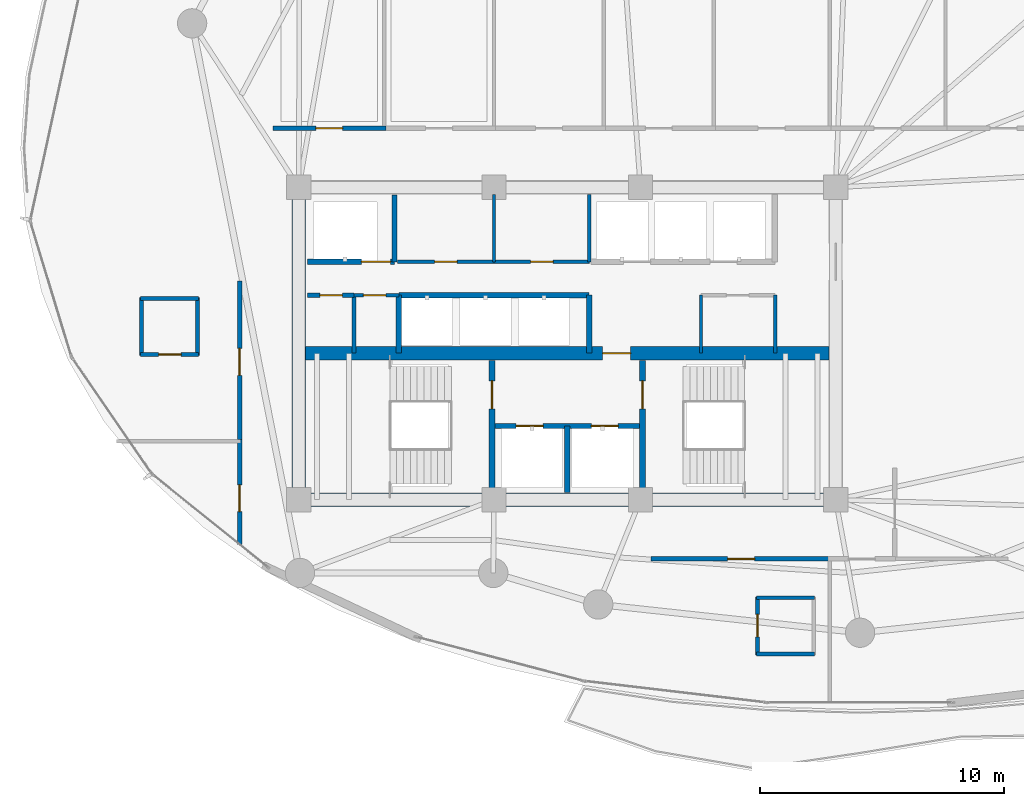
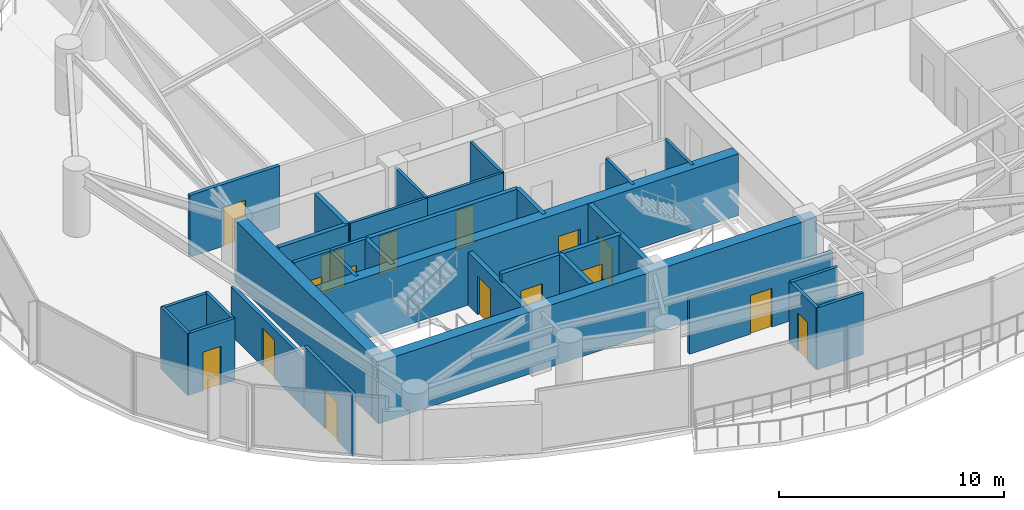
# One storey, part 26 of 34: 32 walls, 16 doors, 16 openings.
"""IFC4 building model written with IfcOpenShell, lengths in metres."""

from ifc_helpers import new_model, si_unit, direction, frame, frame_2d, origin, place, context, subcontext, project, spatial, rectangle, extrude, material, layer, layer_set, type_object, element, fill, save


model = new_model("IFC4")

# Units and contexts
model_context = context("Model", 3, precision=1e-05, world=origin(), true_north=direction((0.0, 1.0)))
body_context = subcontext(model_context, "Body", "Model", "MODEL_VIEW")
ifc_project = project(units=[si_unit("LENGTHUNIT", "METRE"), si_unit("AREAUNIT", "SQUARE_METRE"), si_unit("VOLUMEUNIT", "CUBIC_METRE"), si_unit("PLANEANGLEUNIT", "RADIAN"), si_unit("MASSUNIT", "GRAM", prefix="KILO")], contexts=[model_context])

# Site, building, storey
site_placement = place(None, origin())
site = spatial("IfcSite", under=ifc_project, at=site_placement, CompositionType="ELEMENT")
building_placement = place(site_placement, origin())
building = spatial("IfcBuilding", under=site, at=building_placement, Name="Kazevale Care Tower and Concert Hall", CompositionType="ELEMENT")
storey_placement = place(building_placement, frame((0.0, 0.0, 171.0)))
storey = spatial("IfcBuildingStorey", under=building, at=storey_placement, Name="L45", CompositionType="ELEMENT", Elevation=171.0)

# Wall, opening, door
ifc_material_1 = material(Name="Acoustic Gypsum on Steel Stud", Category="steel")
ifc_layer_1 = layer(ifc_material_1, 0.139892578125)
ifc_layer_set_1 = layer_set([ifc_layer_1], Name="Acoustic Gypsum on Steel Stud")
wall_type_1 = type_object("IfcWallType", Name="Acoustic Care & Suite Partition 140", PredefinedType="PARTITIONING", material=ifc_layer_set_1)
wall_1_placement = place(storey_placement, frame((26.050048828125, 33.35009765625, 0.0), z_axis=(0.0, 0.0, 1.0), x_axis=(1.0, 0.0, 0.0)))
wall_1 = element("IfcWall", 1, at=wall_1_placement, inside=storey, type_object=wall_type_1, Name="wall:L45:c_rpl1_s", PredefinedType="PARTITIONING", context=body_context, shape_type="SweptSolid", body=[
    extrude(rectangle(XDim=3.949951171875, YDim=0.139892578125, at=frame_2d((1.97509765625, 0.0))), origin(), (0.0, 0.0, 1.0), 3.360107421875),
])
opening_1_placement = place(wall_1_placement, frame((1.514892578125, 0.0, 0.0)))
opening_1 = element("IfcOpeningElement", 2, at=opening_1_placement, cuts=wall_1, Name="Opening ID-900", PredefinedType="OPENING", context=body_context, shape_type="SweptSolid", body=[
    extrude(rectangle(XDim=0.919921875, YDim=2.10009765625, at=frame_2d((0.4599609375, 1.050048828125))), frame((0.0, 0.079833984375, 0.0), z_axis=(0.0, -1.0, 0.0), x_axis=(1.0, 0.0, 0.0)), (0.0, 0.0, 1.0), 0.159912109375),
])
ifc_material_2 = material(Name="Oak Timber Fire Leaf", Category="wood")
door_type_1 = type_object("IfcDoorType", Name="Bathroom & Service Door 920x2100", OperationType="NOTDEFINED", PredefinedType="DOOR", material=ifc_material_2)
door_1_placement = place(opening_1_placement, origin())
door_1 = element("IfcDoor", 3, at=door_1_placement, inside=storey, type_object=door_type_1, Name="door:L45:d_rpl1", OperationType="SINGLE_SWING_LEFT", OverallHeight=2.10009765625, OverallWidth=0.919921875, PredefinedType="DOOR", context=body_context, shape_type="SweptSolid", body=[
    extrude(rectangle(XDim=0.919921875, YDim=2.10009765625, at=frame_2d((0.4599609375, 1.050048828125))), frame((0.0, 0.02490234375, 0.0), z_axis=(0.0, -1.0, 0.0), x_axis=(1.0, 0.0, 0.0)), (0.0, 0.0, 1.0), 0.050048828125),
])
fill(opening_1, door_1)

wall_2_placement = place(storey_placement, frame((30.0, 33.35009765625, 0.0), z_axis=(0.0, 0.0, 1.0), x_axis=(1.0, 0.0, 0.0)))
wall_2 = element("IfcWall", 4, at=wall_2_placement, inside=storey, type_object=wall_type_1, Name="wall:L45:c_rpl2_s", PredefinedType="PARTITIONING", context=body_context, shape_type="SweptSolid", body=[
    extrude(rectangle(XDim=3.919921875, YDim=0.139892578125, at=frame_2d((1.9599609375, 0.0))), origin(), (0.0, 0.0, 1.0), 3.360107421875),
])
opening_2_placement = place(wall_2_placement, frame((1.5, 0.0, 0.0)))
opening_2 = element("IfcOpeningElement", 5, at=opening_2_placement, cuts=wall_2, Name="Opening ID-900", PredefinedType="OPENING", context=body_context, shape_type="SweptSolid", body=[
    extrude(rectangle(XDim=0.919921875, YDim=2.10009765625, at=frame_2d((0.4599609375, 1.050048828125))), frame((0.0, 0.079833984375, 0.0), z_axis=(0.0, -1.0, 0.0), x_axis=(1.0, 0.0, 0.0)), (0.0, 0.0, 1.0), 0.159912109375),
])
door_2_placement = place(opening_2_placement, origin())
door_2 = element("IfcDoor", 6, at=door_2_placement, inside=storey, type_object=door_type_1, Name="door:L45:d_rpl2", OperationType="SINGLE_SWING_RIGHT", OverallHeight=2.10009765625, OverallWidth=0.919921875, PredefinedType="DOOR", context=body_context, shape_type="SweptSolid", body=[
    extrude(rectangle(XDim=0.919921875, YDim=2.10009765625, at=frame_2d((0.4599609375, 1.050048828125))), frame((0.0, 0.02490234375, 0.0), z_axis=(0.0, -1.0, 0.0), x_axis=(1.0, 0.0, 0.0)), (0.0, 0.0, 1.0), 0.050048828125),
])
fill(opening_2, door_2)

# Walls
for number, where, z_axis, x_axis, name in (
    (7, (30.0, 33.35009765625, 0.0), (0.0, 0.0, 1.0), (0.0, 1.0, 0.0), "wall:L45:c_rpl_m"),
    (8, (33.89990234375, 33.35009765625, 0.0), (0.0, 0.0, 1.0), (0.0, 1.0, 0.0), "wall:L45:c_rpl_e"),
):
    element("IfcWall", number, at=place(storey_placement, frame(where, z_axis=z_axis, x_axis=x_axis)), inside=storey, type_object=wall_type_1, Name=name, PredefinedType="PARTITIONING", context=body_context, shape_type="SweptSolid", body=[
        extrude(rectangle(XDim=2.75, YDim=0.139892578125, at=frame_2d((1.375, 0.0))), origin(), (0.0, 0.0, 1.0), 3.360107421875),
    ])
for number, where, z_axis, x_axis, name in (
    (9, (38.47998046875, 29.6201171875, 0.0), (0.0, 0.0, 1.0), (0.0, 1.0, 0.0), "wall:L45:kb_ew"),
    (10, (41.52001953125, 29.6201171875, 0.0), (0.0, 0.0, 1.0), (0.0, 1.0, 0.0), "wall:L45:kb_ee"),
):
    element("IfcWall", number, at=place(storey_placement, frame(where, z_axis=z_axis, x_axis=x_axis)), inside=storey, type_object=wall_type_1, Name=name, PredefinedType="PARTITIONING", context=body_context, shape_type="SweptSolid", body=[
        extrude(rectangle(XDim=2.35986328125, YDim=0.139892578125, at=frame_2d((1.179931640625, 0.0))), origin(), (0.0, 0.0, 1.0), 3.360107421875),
    ])
ifc_material_3 = material(Name="Concrete C60", Category="concrete")
ifc_layer_2 = layer(ifc_material_3, 0.550048828125)
ifc_layer_set_2 = layer_set([ifc_layer_2], Name="Concrete C60")
wall_type_2 = type_object("IfcWallType", Name="Core Shear Wall 550 C60", PredefinedType="SHEAR", material=ifc_layer_set_2)
wall_3_placement = place(storey_placement, frame((21.72509765625, 23.60009765625, 0.0), z_axis=(0.0, 0.0, 1.0), x_axis=(1.0, 0.0, 0.0)))
element("IfcWall", 11, at=wall_3_placement, inside=storey, type_object=wall_type_2, Name="wall:L45:core:S", PredefinedType="SHEAR", context=body_context, shape_type="SweptSolid", body=[
    extrude(rectangle(XDim=22.5498046875, YDim=0.550048828125, at=frame_2d((11.27490234375, 0.0))), origin(), (0.0, 0.0, 1.0), 3.360107421875),
])
wall_4_placement = place(storey_placement, frame((22.0, 23.875, 0.0), z_axis=(0.0, 0.0, 1.0), x_axis=(0.0, 1.0, 0.0)))
element("IfcWall", 12, at=wall_4_placement, inside=storey, type_object=wall_type_2, Name="wall:L45:core:W", PredefinedType="SHEAR", context=body_context, shape_type="SweptSolid", body=[
    extrude(rectangle(XDim=12.25, YDim=0.550048828125, at=frame_2d((6.125, 0.0))), origin(), (0.0, 0.0, 1.0), 3.360107421875),
])

# Wall, opening, door
wall_5_placement = place(storey_placement, frame((22.27490234375, 29.60009765625, 0.0), z_axis=(0.0, 0.0, 1.0), x_axis=(1.0, 0.0, 0.0)))
wall_5 = element("IfcWall", 13, at=wall_5_placement, inside=storey, type_object=wall_type_2, Name="wall:L45:core:M", PredefinedType="SHEAR", context=body_context, shape_type="SweptSolid", body=[
    extrude(rectangle(XDim=21.4501953125, YDim=0.550048828125, at=frame_2d((10.72509765625, 0.0))), origin(), (0.0, 0.0, 1.0), 3.360107421875),
])
opening_3_placement = place(wall_5_placement, frame((12.175048828125, 0.0, 0.0)))
opening_3 = element("IfcOpeningElement", 14, at=opening_3_placement, cuts=wall_5, Name="Opening FD-90", PredefinedType="OPENING", context=body_context, shape_type="SweptSolid", body=[
    extrude(rectangle(XDim=1.14990234375, YDim=2.10009765625, at=frame_2d((0.574951171875, 1.050048828125))), frame((0.0, 0.284912109375, 0.0), z_axis=(0.0, -1.0, 0.0), x_axis=(1.0, 0.0, 0.0)), (0.0, 0.0, 1.0), 0.570068359375),
])
ifc_material_4 = material(Name="Steel ASTM A572 Gr 50", Category="steel")
door_type_2 = type_object("IfcDoorType", Name="Pressurized Stair & Lobby Fire Door 1150x2100", OperationType="NOTDEFINED", PredefinedType="DOOR", material=ifc_material_4)
door_3_placement = place(opening_3_placement, origin())
door_3 = element("IfcDoor", 15, at=door_3_placement, inside=storey, type_object=door_type_2, Name="door:L45:ff_to_pax", OperationType="SINGLE_SWING_LEFT", OverallHeight=2.10009765625, OverallWidth=1.14990234375, PredefinedType="DOOR", context=body_context, shape_type="SweptSolid", body=[
    extrude(rectangle(XDim=1.14990234375, YDim=2.10009765625, at=frame_2d((0.574951171875, 1.050048828125))), frame((0.0, 0.02490234375, 0.0), z_axis=(0.0, -1.0, 0.0), x_axis=(1.0, 0.0, 0.0)), (0.0, 0.0, 1.0), 0.050048828125),
])
fill(opening_3, door_3)

# Wall, openings, doors
ifc_material_5 = material(Name="Concrete C40", Category="concrete")
ifc_layer_3 = layer(ifc_material_5, 0.219970703125)
ifc_layer_set_3 = layer_set([ifc_layer_3], Name="Concrete C40")
wall_type_3 = type_object("IfcWallType", Name="Elevator Hoistway Shaft Wall 220", PredefinedType="SOLIDWALL", material=ifc_layer_set_3)
wall_6_placement = place(storey_placement, frame((29.919921875, 26.6201171875, 0.0), z_axis=(0.0, 0.0, 1.0), x_axis=(1.0, 0.0, 0.0)))
wall_6 = element("IfcWall", 16, at=wall_6_placement, inside=storey, type_object=wall_type_3, Name="wall:L45:c_ffl_n", PredefinedType="SOLIDWALL", context=body_context, shape_type="SweptSolid", body=[
    extrude(rectangle(XDim=6.16015625, YDim=0.219970703125, at=frame_2d((3.080078125, 0.0))), origin(), (0.0, 0.0, 1.0), 3.360107421875),
])
opening_4_placement = place(wall_6_placement, frame((0.989990234375, 0.0, 0.0)))
opening_4 = element("IfcOpeningElement", 17, at=opening_4_placement, cuts=wall_6, Name="Opening LD-FF", PredefinedType="OPENING", context=body_context, shape_type="SweptSolid", body=[
    extrude(rectangle(XDim=1.10009765625, YDim=2.10009765625, at=frame_2d((0.550048828125, 1.050048828125))), frame((0.0, 0.119873046875, 0.0), z_axis=(0.0, -1.0, 0.0), x_axis=(1.0, 0.0, 0.0)), (0.0, 0.0, 1.0), 0.239990234375),
])
opening_5_placement = place(wall_6_placement, frame((4.070068359375, 0.0, 0.0)))
opening_5 = element("IfcOpeningElement", 18, at=opening_5_placement, cuts=wall_6, Name="Opening LD-FF", PredefinedType="OPENING", context=body_context, shape_type="SweptSolid", body=[
    extrude(rectangle(XDim=1.10009765625, YDim=2.10009765625, at=frame_2d((0.550048828125, 1.050048828125))), frame((0.0, 0.119873046875, 0.0), z_axis=(0.0, -1.0, 0.0), x_axis=(1.0, 0.0, 0.0)), (0.0, 0.0, 1.0), 0.239990234375),
])
ifc_material_6 = material(Name="Stainless Steel 316", Category="steel")
door_type_3 = type_object("IfcDoorType", Name="Emergency Lift Sliding Landing Door 1100x2100", OperationType="NOTDEFINED", PredefinedType="DOOR", material=ifc_material_6)
door_4_placement = place(opening_4_placement, origin())
door_4 = element("IfcDoor", 19, at=door_4_placement, inside=storey, type_object=door_type_3, Name="door:L45:ld_ffl1", OperationType="SLIDING_TO_LEFT", OverallHeight=2.10009765625, OverallWidth=1.10009765625, PredefinedType="DOOR", context=body_context, shape_type="SweptSolid", body=[
    extrude(rectangle(XDim=1.10009765625, YDim=2.10009765625, at=frame_2d((0.550048828125, 1.050048828125))), frame((0.0, 0.02490234375, 0.0), z_axis=(0.0, -1.0, 0.0), x_axis=(1.0, 0.0, 0.0)), (0.0, 0.0, 1.0), 0.050048828125),
])
fill(opening_4, door_4)
door_5_placement = place(opening_5_placement, origin())
door_5 = element("IfcDoor", 20, at=door_5_placement, inside=storey, type_object=door_type_3, Name="door:L45:ld_ffl2", OperationType="SLIDING_TO_RIGHT", OverallHeight=2.10009765625, OverallWidth=1.10009765625, PredefinedType="DOOR", context=body_context, shape_type="SweptSolid", body=[
    extrude(rectangle(XDim=1.10009765625, YDim=2.10009765625, at=frame_2d((0.550048828125, 1.050048828125))), frame((0.0, 0.02490234375, 0.0), z_axis=(0.0, -1.0, 0.0), x_axis=(1.0, 0.0, 0.0)), (0.0, 0.0, 1.0), 0.050048828125),
])
fill(opening_5, door_5)

# Walls
wall_7_placement = place(storey_placement, frame((33.0, 23.89990234375, 0.0), z_axis=(0.0, 0.0, 1.0), x_axis=(0.0, 1.0, 0.0)))
element("IfcWall", 21, at=wall_7_placement, inside=storey, type_object=wall_type_3, Name="wall:L45:c_ffl_m", PredefinedType="SOLIDWALL", context=body_context, shape_type="SweptSolid", body=[
    extrude(rectangle(XDim=2.72021484375, YDim=0.219970703125, at=frame_2d((1.360107421875, 0.0))), origin(), (0.0, 0.0, 1.0), 3.360107421875),
])
wall_8_placement = place(storey_placement, frame((25.919921875, 33.35009765625, 0.0), z_axis=(0.0, 0.0, 1.0), x_axis=(0.0, 1.0, 0.0)))
element("IfcWall", 22, at=wall_8_placement, inside=storey, type_object=wall_type_3, Name="wall:L45:c_svl_e", PredefinedType="SOLIDWALL", context=body_context, shape_type="SweptSolid", body=[
    extrude(rectangle(XDim=2.72998046875, YDim=0.219970703125, at=frame_2d((1.364990234375, 0.0))), origin(), (0.0, 0.0, 1.0), 3.360107421875),
])

# Wall, opening, door
wall_9_placement = place(storey_placement, frame((22.35009765625, 33.35009765625, 0.0), z_axis=(0.0, 0.0, 1.0), x_axis=(1.0, 0.0, 0.0)))
wall_9 = element("IfcWall", 23, at=wall_9_placement, inside=storey, type_object=wall_type_3, Name="wall:L45:c_svl_s", PredefinedType="SOLIDWALL", context=body_context, shape_type="SweptSolid", body=[
    extrude(rectangle(XDim=3.56982421875, YDim=0.219970703125, at=frame_2d((1.784912109375, 0.0))), origin(), (0.0, 0.0, 1.0), 3.360107421875),
])
opening_6_placement = place(wall_9_placement, frame((2.212890625, 0.0, 0.0)))
opening_6 = element("IfcOpeningElement", 24, at=opening_6_placement, cuts=wall_9, Name="Opening LD-SV", PredefinedType="OPENING", context=body_context, shape_type="SweptSolid", body=[
    extrude(rectangle(XDim=1.199951171875, YDim=2.10009765625, at=frame_2d((0.60009765625, 1.050048828125))), frame((0.0, 0.119873046875, 0.0), z_axis=(0.0, -1.0, 0.0), x_axis=(1.0, 0.0, 0.0)), (0.0, 0.0, 1.0), 0.239990234375),
])
door_type_4 = type_object("IfcDoorType", Name="Service Lift Sliding Landing Door 1200x2100", OperationType="NOTDEFINED", PredefinedType="DOOR", material=ifc_material_6)
door_6_placement = place(opening_6_placement, origin())
door_6 = element("IfcDoor", 25, at=door_6_placement, inside=storey, type_object=door_type_4, Name="door:L45:ld_svl1", OperationType="SLIDING_TO_LEFT", OverallHeight=2.10009765625, OverallWidth=1.199951171875, PredefinedType="DOOR", context=body_context, shape_type="SweptSolid", body=[
    extrude(rectangle(XDim=1.199951171875, YDim=2.10009765625, at=frame_2d((0.60009765625, 1.050048828125))), frame((0.0, 0.02490234375, 0.0), z_axis=(0.0, -1.0, 0.0), x_axis=(1.0, 0.0, 0.0)), (0.0, 0.0, 1.0), 0.050048828125),
])
fill(opening_6, door_6)

# Walls
wall_10_placement = place(storey_placement, frame((26.10009765625, 29.6201171875, 0.0), z_axis=(0.0, 0.0, 1.0), x_axis=(0.0, 1.0, 0.0)))
element("IfcWall", 26, at=wall_10_placement, inside=storey, type_object=wall_type_3, Name="wall:L45:c_ph_w", PredefinedType="SOLIDWALL", context=body_context, shape_type="SweptSolid", body=[
    extrude(rectangle(XDim=2.35986328125, YDim=0.219970703125, at=frame_2d((1.179931640625, 0.0))), origin(), (0.0, 0.0, 1.0), 3.360107421875),
])
wall_11_placement = place(storey_placement, frame((26.10009765625, 31.97998046875, 0.0), z_axis=(0.0, 0.0, 1.0), x_axis=(1.0, 0.0, 0.0)))
element("IfcWall", 27, at=wall_11_placement, inside=storey, type_object=wall_type_3, Name="wall:L45:c_ph_n", PredefinedType="SOLIDWALL", context=body_context, shape_type="SweptSolid", body=[
    extrude(rectangle(XDim=7.7998046875, YDim=0.219970703125, at=frame_2d((3.89990234375, 0.0))), origin(), (0.0, 0.0, 1.0), 3.360107421875),
])
wall_12_placement = place(storey_placement, frame((33.89990234375, 29.6201171875, 0.0), z_axis=(0.0, 0.0, 1.0), x_axis=(0.0, 1.0, 0.0)))
element("IfcWall", 28, at=wall_12_placement, inside=storey, type_object=wall_type_3, Name="wall:L45:c_ph_e", PredefinedType="SOLIDWALL", context=body_context, shape_type="SweptSolid", body=[
    extrude(rectangle(XDim=2.35986328125, YDim=0.219970703125, at=frame_2d((1.179931640625, 0.0))), origin(), (0.0, 0.0, 1.0), 3.360107421875),
])

# Wall, opening, door
ifc_material_7 = material(Name="Concrete C40 and Acoustic Gypsum", Category="concrete")
ifc_layer_4 = layer(ifc_material_7, 0.179931640625)
ifc_layer_set_4 = layer_set([ifc_layer_4], Name="Concrete C40 and Acoustic Gypsum")
wall_type_4 = type_object("IfcWallType", Name="Fire-Rated Corridor & Party Wall 180", PredefinedType="PARTITIONING", material=ifc_layer_set_4)
wall_13_placement = place(storey_placement, frame((22.35009765625, 31.97998046875, 0.0), z_axis=(0.0, 0.0, 1.0), x_axis=(1.0, 0.0, 0.0)))
wall_13 = element("IfcWall", 29, at=wall_13_placement, inside=storey, type_object=wall_type_4, Name="wall:L45:kb_wn0", PredefinedType="PARTITIONING", context=body_context, shape_type="SweptSolid", body=[
    extrude(rectangle(XDim=1.909912109375, YDim=0.179931640625, at=frame_2d((0.955078125, 0.0))), origin(), (0.0, 0.0, 1.0), 3.360107421875),
])
opening_7_placement = place(wall_13_placement, frame((0.514892578125, 0.0, 0.0)))
opening_7 = element("IfcOpeningElement", 30, at=opening_7_placement, cuts=wall_13, Name="Opening ID-900", PredefinedType="OPENING", context=body_context, shape_type="SweptSolid", body=[
    extrude(rectangle(XDim=0.919921875, YDim=2.10009765625, at=frame_2d((0.4599609375, 1.050048828125))), frame((0.0, 0.099853515625, 0.0), z_axis=(0.0, -1.0, 0.0), x_axis=(1.0, 0.0, 0.0)), (0.0, 0.0, 1.0), 0.199951171875),
])
door_7_placement = place(opening_7_placement, origin())
door_7 = element("IfcDoor", 31, at=door_7_placement, inside=storey, type_object=door_type_1, Name="door:L45:d_kbw1", OperationType="SINGLE_SWING_LEFT", OverallHeight=2.10009765625, OverallWidth=0.919921875, PredefinedType="DOOR", context=body_context, shape_type="SweptSolid", body=[
    extrude(rectangle(XDim=0.919921875, YDim=2.10009765625, at=frame_2d((0.4599609375, 1.050048828125))), frame((0.0, 0.02490234375, 0.0), z_axis=(0.0, -1.0, 0.0), x_axis=(1.0, 0.0, 0.0)), (0.0, 0.0, 1.0), 0.050048828125),
])
fill(opening_7, door_7)

wall_14_placement = place(storey_placement, frame((20.93505859375, 38.824951171875, 0.0), z_axis=(0.0, 0.0, 1.0), x_axis=(1.0, 0.0, 0.0)))
wall_14 = element("IfcWall", 32, at=wall_14_placement, inside=storey, type_object=wall_type_4, Name="wall:L45:auto_001", PredefinedType="PARTITIONING", context=body_context, shape_type="SweptSolid", body=[
    extrude(rectangle(XDim=4.6298828125, YDim=0.179931640625, at=frame_2d((2.31494140625, 0.0))), origin(), (0.0, 0.0, 1.0), 3.360107421875),
])
opening_8_placement = place(wall_14_placement, frame((1.764892578125, 0.0, 0.0)))
opening_8 = element("IfcOpeningElement", 33, at=opening_8_placement, cuts=wall_14, Name="Opening ID-1100", PredefinedType="OPENING", context=body_context, shape_type="SweptSolid", body=[
    extrude(rectangle(XDim=1.10009765625, YDim=2.10009765625, at=frame_2d((0.550048828125, 1.050048828125))), frame((0.0, 0.099853515625, 0.0), z_axis=(0.0, -1.0, 0.0), x_axis=(1.0, 0.0, 0.0)), (0.0, 0.0, 1.0), 0.199951171875),
])
door_type_5 = type_object("IfcDoorType", Name="Care Bedroom Accessible Door 1100x2100", OperationType="NOTDEFINED", PredefinedType="DOOR", material=ifc_material_2)
door_8_placement = place(opening_8_placement, origin())
door_8 = element("IfcDoor", 34, at=door_8_placement, inside=storey, type_object=door_type_5, Name="door:L45:ad_001", OperationType="SINGLE_SWING_LEFT", OverallHeight=2.10009765625, OverallWidth=1.10009765625, PredefinedType="DOOR", context=body_context, shape_type="SweptSolid", body=[
    extrude(rectangle(XDim=1.10009765625, YDim=2.10009765625, at=frame_2d((0.550048828125, 1.050048828125))), frame((0.0, 0.02490234375, 0.0), z_axis=(0.0, -1.0, 0.0), x_axis=(1.0, 0.0, 0.0)), (0.0, 0.0, 1.0), 0.050048828125),
])
fill(opening_8, door_8)

wall_15_placement = place(storey_placement, frame((43.81494140625, 21.175048828125, 0.0), z_axis=(0.0, 0.0, 1.0), x_axis=(-1.0, 0.0, 0.0)))
wall_15 = element("IfcWall", 35, at=wall_15_placement, inside=storey, type_object=wall_type_4, Name="wall:L45:auto_017", PredefinedType="PARTITIONING", context=body_context, shape_type="SweptSolid", body=[
    extrude(rectangle(XDim=7.3798828125, YDim=0.179931640625, at=frame_2d((3.68994140625, 0.0))), origin(), (0.0, 0.0, 1.0), 2.99609375),
])
opening_9_placement = place(wall_15_placement, frame((3.139892578125, 0.0, 0.0)))
opening_9 = element("IfcOpeningElement", 36, at=opening_9_placement, cuts=wall_15, Name="Opening ID-1100", PredefinedType="OPENING", context=body_context, shape_type="SweptSolid", body=[
    extrude(rectangle(XDim=1.10009765625, YDim=2.10009765625, at=frame_2d((0.550048828125, 1.050048828125))), frame((0.0, 0.099853515625, 0.0), z_axis=(0.0, -1.0, 0.0), x_axis=(1.0, 0.0, 0.0)), (0.0, 0.0, 1.0), 0.199951171875),
])
door_9_placement = place(opening_9_placement, origin())
door_9 = element("IfcDoor", 37, at=door_9_placement, inside=storey, type_object=door_type_5, Name="door:L45:ad_017", OperationType="SINGLE_SWING_LEFT", OverallHeight=2.10009765625, OverallWidth=1.10009765625, PredefinedType="DOOR", context=body_context, shape_type="SweptSolid", body=[
    extrude(rectangle(XDim=1.10009765625, YDim=2.10009765625, at=frame_2d((0.550048828125, 1.050048828125))), frame((0.0, 0.02490234375, 0.0), z_axis=(0.0, -1.0, 0.0), x_axis=(1.0, 0.0, 0.0)), (0.0, 0.0, 1.0), 0.050048828125),
])
fill(opening_9, door_9)

wall_16_placement = place(storey_placement, frame((19.574951171875, 21.774658203125, 0.0), z_axis=(0.0, 0.0, 1.0), x_axis=(0.0, 1.0, 0.0)))
wall_16 = element("IfcWall", 38, at=wall_16_placement, inside=storey, type_object=wall_type_4, Name="wall:L45:auto_019", PredefinedType="PARTITIONING", context=body_context, shape_type="SweptSolid", body=[
    extrude(rectangle(XDim=4.290283203125, YDim=0.179931640625, at=frame_2d((2.14501953125, 0.0))), origin(), (0.0, 0.0, 1.0), 3.360107421875),
])
opening_10_placement = place(wall_16_placement, frame((1.337890625, 0.0, 0.0)))
opening_10 = element("IfcOpeningElement", 39, at=opening_10_placement, cuts=wall_16, Name="Opening ID-1100", PredefinedType="OPENING", context=body_context, shape_type="SweptSolid", body=[
    extrude(rectangle(XDim=1.10009765625, YDim=2.10009765625, at=frame_2d((0.550048828125, 1.050048828125))), frame((0.0, 0.099853515625, 0.0), z_axis=(0.0, -1.0, 0.0), x_axis=(1.0, 0.0, 0.0)), (0.0, 0.0, 1.0), 0.199951171875),
])
door_10_placement = place(opening_10_placement, origin())
door_10 = element("IfcDoor", 40, at=door_10_placement, inside=storey, type_object=door_type_5, Name="door:L45:ad_019", OperationType="SINGLE_SWING_LEFT", OverallHeight=2.10009765625, OverallWidth=1.10009765625, PredefinedType="DOOR", context=body_context, shape_type="SweptSolid", body=[
    extrude(rectangle(XDim=1.10009765625, YDim=2.10009765625, at=frame_2d((0.550048828125, 1.050048828125))), frame((0.0, 0.02490234375, 0.0), z_axis=(0.0, -1.0, 0.0), x_axis=(1.0, 0.0, 0.0)), (0.0, 0.0, 1.0), 0.050048828125),
])
fill(opening_10, door_10)

wall_17_placement = place(storey_placement, frame((19.574951171875, 25.93505859375, 0.0), z_axis=(0.0, 0.0, 1.0), x_axis=(0.0, 1.0, 0.0)))
wall_17 = element("IfcWall", 41, at=wall_17_placement, inside=storey, type_object=wall_type_4, Name="wall:L45:auto_020", PredefinedType="PARTITIONING", context=body_context, shape_type="SweptSolid", body=[
    extrude(rectangle(XDim=6.6298828125, YDim=0.179931640625, at=frame_2d((3.31494140625, 0.0))), origin(), (0.0, 0.0, 1.0), 2.656982421875),
])
opening_11_placement = place(wall_17_placement, frame((2.764892578125, 0.0, 0.0)))
opening_11 = element("IfcOpeningElement", 42, at=opening_11_placement, cuts=wall_17, Name="Opening ID-1100", PredefinedType="OPENING", context=body_context, shape_type="SweptSolid", body=[
    extrude(rectangle(XDim=1.10009765625, YDim=2.10009765625, at=frame_2d((0.550048828125, 1.050048828125))), frame((0.0, 0.099853515625, 0.0), z_axis=(0.0, -1.0, 0.0), x_axis=(1.0, 0.0, 0.0)), (0.0, 0.0, 1.0), 0.199951171875),
])
door_11_placement = place(opening_11_placement, origin())
door_11 = element("IfcDoor", 43, at=door_11_placement, inside=storey, type_object=door_type_5, Name="door:L45:ad_020", OperationType="SINGLE_SWING_LEFT", OverallHeight=2.10009765625, OverallWidth=1.10009765625, PredefinedType="DOOR", context=body_context, shape_type="SweptSolid", body=[
    extrude(rectangle(XDim=1.10009765625, YDim=2.10009765625, at=frame_2d((0.550048828125, 1.050048828125))), frame((0.0, 0.02490234375, 0.0), z_axis=(0.0, -1.0, 0.0), x_axis=(1.0, 0.0, 0.0)), (0.0, 0.0, 1.0), 0.050048828125),
])
fill(opening_11, door_11)

# Wall
ifc_layer_5 = layer(ifc_material_1, 0.159912109375)
ifc_layer_set_5 = layer_set([ifc_layer_5], Name="Acoustic Gypsum on Steel Stud")
wall_type_5 = type_object("IfcWallType", Name="Moisture-Resistant Bathroom Plumbing Wall 160", PredefinedType="PLUMBINGWALL", material=ifc_layer_set_5)
wall_18_placement = place(storey_placement, frame((24.260009765625, 29.6201171875, 0.0), z_axis=(0.0, 0.0, 1.0), x_axis=(0.0, 1.0, 0.0)))
element("IfcWall", 44, at=wall_18_placement, inside=storey, type_object=wall_type_5, Name="wall:L45:kb_we1", PredefinedType="PLUMBINGWALL", context=body_context, shape_type="SweptSolid", body=[
    extrude(rectangle(XDim=2.35986328125, YDim=0.159912109375, at=frame_2d((1.179931640625, 0.0))), origin(), (0.0, 0.0, 1.0), 3.360107421875),
])

# Wall, opening, door
wall_19_placement = place(storey_placement, frame((24.260009765625, 31.97998046875, 0.0), z_axis=(0.0, 0.0, 1.0), x_axis=(1.0, 0.0, 0.0)))
wall_19 = element("IfcWall", 45, at=wall_19_placement, inside=storey, type_object=wall_type_5, Name="wall:L45:kb_wn1", PredefinedType="PLUMBINGWALL", context=body_context, shape_type="SweptSolid", body=[
    extrude(rectangle(XDim=1.840087890625, YDim=0.159912109375, at=frame_2d((0.919921875, 0.0))), origin(), (0.0, 0.0, 1.0), 3.360107421875),
])
opening_12_placement = place(wall_19_placement, frame((0.387939453125, 0.0, 0.0)))
opening_12 = element("IfcOpeningElement", 46, at=opening_12_placement, cuts=wall_19, Name="Opening ID-900", PredefinedType="OPENING", context=body_context, shape_type="SweptSolid", body=[
    extrude(rectangle(XDim=0.919921875, YDim=2.10009765625, at=frame_2d((0.4599609375, 1.050048828125))), frame((0.0, 0.08984375, 0.0), z_axis=(0.0, -1.0, 0.0), x_axis=(1.0, 0.0, 0.0)), (0.0, 0.0, 1.0), 0.179931640625),
])
door_12_placement = place(opening_12_placement, origin())
door_12 = element("IfcDoor", 47, at=door_12_placement, inside=storey, type_object=door_type_1, Name="door:L45:d_kbw2", OperationType="SINGLE_SWING_RIGHT", OverallHeight=2.10009765625, OverallWidth=0.919921875, PredefinedType="DOOR", context=body_context, shape_type="SweptSolid", body=[
    extrude(rectangle(XDim=0.919921875, YDim=2.10009765625, at=frame_2d((0.4599609375, 1.050048828125))), frame((0.0, 0.02490234375, 0.0), z_axis=(0.0, -1.0, 0.0), x_axis=(1.0, 0.0, 0.0)), (0.0, 0.0, 1.0), 0.050048828125),
])
fill(opening_12, door_12)

# Walls
for number, where, z_axis, x_axis, name in (
    (48, (40.760009765625, 17.281982421875, 0.0), (0.0, 0.0, 1.0), (1.0, 0.0, 0.0), "wall:L45:sb2a_ens_ws"),
    (49, (40.760009765625, 19.58203125, 0.0), (0.0, 0.0, 1.0), (1.0, 0.0, 0.0), "wall:L45:sb2a_ens_wn"),
):
    element("IfcWall", number, at=place(storey_placement, frame(where, z_axis=z_axis, x_axis=x_axis)), inside=storey, type_object=wall_type_5, Name=name, PredefinedType="PLUMBINGWALL", context=body_context, shape_type="SweptSolid", body=[
        extrude(rectangle(XDim=2.3798828125, YDim=0.159912109375, at=frame_2d((1.18994140625, 0.0))), origin(), (0.0, 0.0, 1.0), 3.360107421875),
    ])

# Wall, opening, door
wall_20_placement = place(storey_placement, frame((40.800048828125, 17.241943359375, 0.0), z_axis=(0.0, 0.0, 1.0), x_axis=(0.0, 1.0, 0.0)))
wall_20 = element("IfcWall", 50, at=wall_20_placement, inside=storey, type_object=wall_type_5, Name="wall:L45:sb2a_ens_ww", PredefinedType="PLUMBINGWALL", context=body_context, shape_type="SweptSolid", body=[
    extrude(rectangle(XDim=2.380126953125, YDim=0.159912109375, at=frame_2d((1.18994140625, 0.0))), origin(), (0.0, 0.0, 1.0), 3.360107421875),
])
opening_13_placement = place(wall_20_placement, frame((0.739990234375, 0.0, 0.0)))
opening_13 = element("IfcOpeningElement", 51, at=opening_13_placement, cuts=wall_20, Name="Opening ID-900", PredefinedType="OPENING", context=body_context, shape_type="SweptSolid", body=[
    extrude(rectangle(XDim=0.919921875, YDim=2.10009765625, at=frame_2d((0.4599609375, 1.050048828125))), frame((0.0, 0.08984375, 0.0), z_axis=(0.0, -1.0, 0.0), x_axis=(1.0, 0.0, 0.0)), (0.0, 0.0, 1.0), 0.179931640625),
])
door_13_placement = place(opening_13_placement, origin())
door_13 = element("IfcDoor", 52, at=door_13_placement, inside=storey, type_object=door_type_1, Name="door:L45:sb2a_ens_d", OperationType="SINGLE_SWING_RIGHT", OverallHeight=2.10009765625, OverallWidth=0.919921875, PredefinedType="DOOR", context=body_context, shape_type="SweptSolid", body=[
    extrude(rectangle(XDim=0.919921875, YDim=2.10009765625, at=frame_2d((0.4599609375, 1.050048828125))), frame((0.0, 0.02490234375, 0.0), z_axis=(0.0, -1.0, 0.0), x_axis=(1.0, 0.0, 0.0)), (0.0, 0.0, 1.0), 0.050048828125),
])
fill(opening_13, door_13)

wall_21_placement = place(storey_placement, frame((15.514892578125, 29.550048828125, 0.0), z_axis=(0.0, 0.0, 1.0), x_axis=(1.0, 0.0, 0.0)))
wall_21 = element("IfcWall", 53, at=wall_21_placement, inside=storey, type_object=wall_type_5, Name="wall:L45:wb2_ens_ws", PredefinedType="PLUMBINGWALL", context=body_context, shape_type="SweptSolid", body=[
    extrude(rectangle(XDim=2.380126953125, YDim=0.159912109375, at=frame_2d((1.18994140625, 0.0))), origin(), (0.0, 0.0, 1.0), 3.360107421875),
])
opening_14_placement = place(wall_21_placement, frame((0.739990234375, 0.0, 0.0)))
opening_14 = element("IfcOpeningElement", 54, at=opening_14_placement, cuts=wall_21, Name="Opening ID-900", PredefinedType="OPENING", context=body_context, shape_type="SweptSolid", body=[
    extrude(rectangle(XDim=0.919921875, YDim=2.10009765625, at=frame_2d((0.4599609375, 1.050048828125))), frame((0.0, 0.08984375, 0.0), z_axis=(0.0, -1.0, 0.0), x_axis=(1.0, 0.0, 0.0)), (0.0, 0.0, 1.0), 0.179931640625),
])
door_14_placement = place(opening_14_placement, origin())
door_14 = element("IfcDoor", 55, at=door_14_placement, inside=storey, type_object=door_type_1, Name="door:L45:wb2_ens_d", OperationType="SINGLE_SWING_RIGHT", OverallHeight=2.10009765625, OverallWidth=0.919921875, PredefinedType="DOOR", context=body_context, shape_type="SweptSolid", body=[
    extrude(rectangle(XDim=0.919921875, YDim=2.10009765625, at=frame_2d((0.4599609375, 1.050048828125))), frame((0.0, 0.02490234375, 0.0), z_axis=(0.0, -1.0, 0.0), x_axis=(1.0, 0.0, 0.0)), (0.0, 0.0, 1.0), 0.050048828125),
])
fill(opening_14, door_14)

# Walls
wall_22_placement = place(storey_placement, frame((15.514892578125, 31.85009765625, 0.0), z_axis=(0.0, 0.0, 1.0), x_axis=(1.0, 0.0, 0.0)))
element("IfcWall", 56, at=wall_22_placement, inside=storey, type_object=wall_type_5, Name="wall:L45:wb2_ens_wn", PredefinedType="PLUMBINGWALL", context=body_context, shape_type="SweptSolid", body=[
    extrude(rectangle(XDim=2.380126953125, YDim=0.159912109375, at=frame_2d((1.18994140625, 0.0))), origin(), (0.0, 0.0, 1.0), 3.360107421875),
])
for number, where, z_axis, x_axis, name in (
    (57, (15.554931640625, 29.510009765625, 0.0), (0.0, 0.0, 1.0), (0.0, 1.0, 0.0), "wall:L45:wb2_ens_ww"),
    (58, (17.85498046875, 29.510009765625, 0.0), (0.0, 0.0, 1.0), (0.0, 1.0, 0.0), "wall:L45:wb2_ens_we"),
):
    element("IfcWall", number, at=place(storey_placement, frame(where, z_axis=z_axis, x_axis=x_axis)), inside=storey, type_object=wall_type_5, Name=name, PredefinedType="PLUMBINGWALL", context=body_context, shape_type="SweptSolid", body=[
        extrude(rectangle(XDim=2.3798828125, YDim=0.159912109375, at=frame_2d((1.18994140625, 0.0))), origin(), (0.0, 0.0, 1.0), 3.360107421875),
    ])

# Wall, opening, door
ifc_layer_6 = layer(ifc_material_5, 0.25)
ifc_layer_set_6 = layer_set([ifc_layer_6], Name="Concrete C40")
wall_type_6 = type_object("IfcWallType", Name="Pressurized Stair Shaft Wall 250", PredefinedType="SOLIDWALL", material=ifc_layer_set_6)
wall_23_placement = place(storey_placement, frame((29.919921875, 23.89990234375, 0.0), z_axis=(0.0, 0.0, 1.0), x_axis=(0.0, 1.0, 0.0)))
wall_23 = element("IfcWall", 59, at=wall_23_placement, inside=storey, type_object=wall_type_6, Name="wall:L45:c_st1_e", PredefinedType="SOLIDWALL", context=body_context, shape_type="SweptSolid", body=[
    extrude(rectangle(XDim=5.400146484375, YDim=0.25, at=frame_2d((2.7001953125, 0.0))), origin(), (0.0, 0.0, 1.0), 2.889892578125),
])
opening_15_placement = place(wall_23_placement, frame((3.4208984375, 0.0, 0.0)))
opening_15 = element("IfcOpeningElement", 60, at=opening_15_placement, cuts=wall_23, Name="Opening FD-90", PredefinedType="OPENING", context=body_context, shape_type="SweptSolid", body=[
    extrude(rectangle(XDim=1.14990234375, YDim=2.10009765625, at=frame_2d((0.574951171875, 1.050048828125))), frame((0.0, 0.135009765625, 0.0), z_axis=(0.0, -1.0, 0.0), x_axis=(1.0, 0.0, 0.0)), (0.0, 0.0, 1.0), 0.27001953125),
])
door_15_placement = place(opening_15_placement, origin())
door_15 = element("IfcDoor", 61, at=door_15_placement, inside=storey, type_object=door_type_2, Name="door:L45:st1", OperationType="SINGLE_SWING_RIGHT", OverallHeight=2.10009765625, OverallWidth=1.14990234375, PredefinedType="DOOR", context=body_context, shape_type="SweptSolid", body=[
    extrude(rectangle(XDim=1.14990234375, YDim=2.10009765625, at=frame_2d((0.574951171875, 1.050048828125))), frame((0.0, 0.02490234375, 0.0), z_axis=(0.0, -1.0, 0.0), x_axis=(1.0, 0.0, 0.0)), (0.0, 0.0, 1.0), 0.050048828125),
])
fill(opening_15, door_15)

wall_24_placement = place(storey_placement, frame((36.080078125, 23.89990234375, 0.0), z_axis=(0.0, 0.0, 1.0), x_axis=(0.0, 1.0, 0.0)))
wall_24 = element("IfcWall", 62, at=wall_24_placement, inside=storey, type_object=wall_type_6, Name="wall:L45:c_st2_w", PredefinedType="SOLIDWALL", context=body_context, shape_type="SweptSolid", body=[
    extrude(rectangle(XDim=5.400146484375, YDim=0.25, at=frame_2d((2.7001953125, 0.0))), origin(), (0.0, 0.0, 1.0), 3.360107421875),
])
opening_16_placement = place(wall_24_placement, frame((3.4208984375, 0.0, 0.0)))
opening_16 = element("IfcOpeningElement", 63, at=opening_16_placement, cuts=wall_24, Name="Opening FD-90", PredefinedType="OPENING", context=body_context, shape_type="SweptSolid", body=[
    extrude(rectangle(XDim=1.14990234375, YDim=2.10009765625, at=frame_2d((0.574951171875, 1.050048828125))), frame((0.0, 0.135009765625, 0.0), z_axis=(0.0, -1.0, 0.0), x_axis=(1.0, 0.0, 0.0)), (0.0, 0.0, 1.0), 0.27001953125),
])
door_16_placement = place(opening_16_placement, origin())
door_16 = element("IfcDoor", 64, at=door_16_placement, inside=storey, type_object=door_type_2, Name="door:L45:st2", OperationType="SINGLE_SWING_LEFT", OverallHeight=2.10009765625, OverallWidth=1.14990234375, PredefinedType="DOOR", context=body_context, shape_type="SweptSolid", body=[
    extrude(rectangle(XDim=1.14990234375, YDim=2.10009765625, at=frame_2d((0.574951171875, 1.050048828125))), frame((0.0, 0.02490234375, 0.0), z_axis=(0.0, -1.0, 0.0), x_axis=(1.0, 0.0, 0.0)), (0.0, 0.0, 1.0), 0.050048828125),
])
fill(opening_16, door_16)

save(model, "model.ifc")
